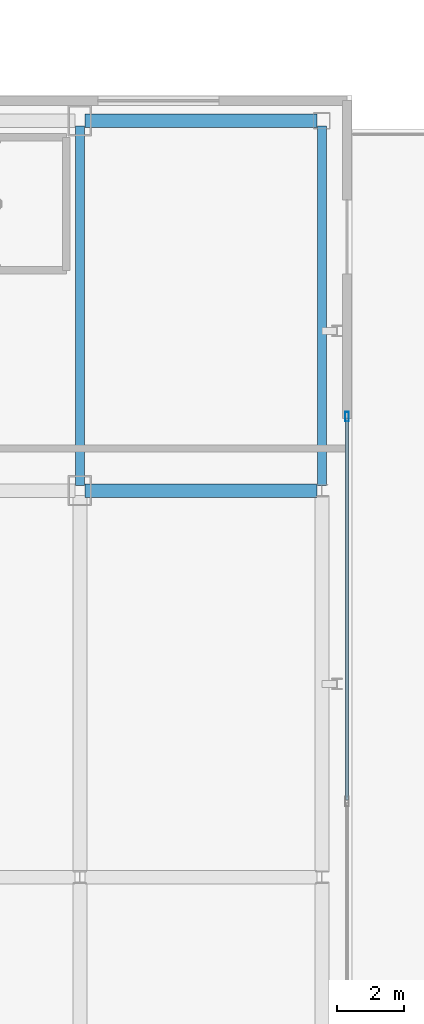
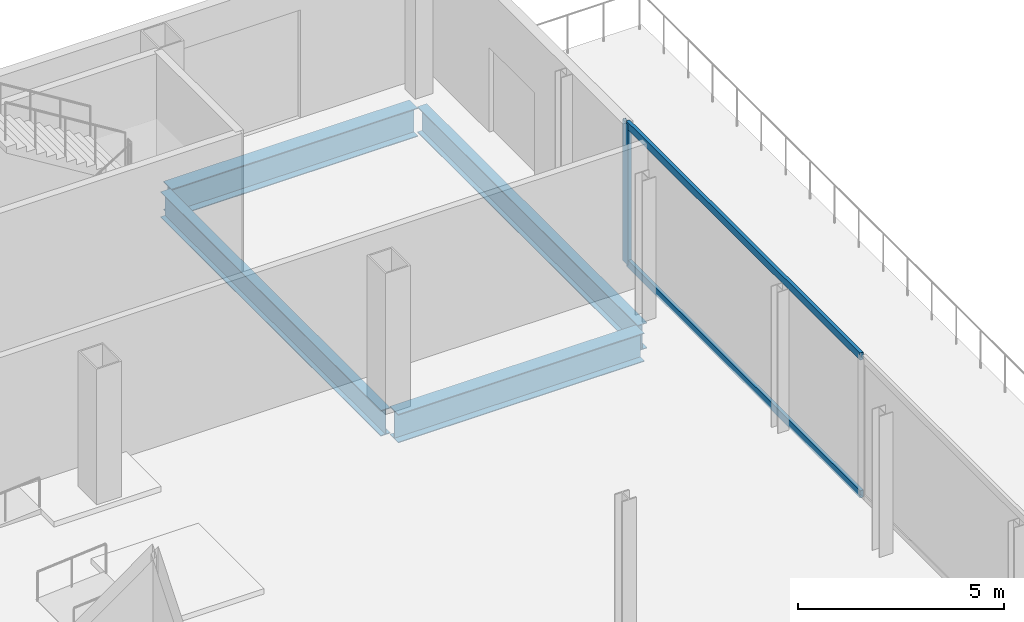
# One storey, part 18 of 31: 4 beams, 3 members, 1 element without a shape of its own.
"""IFC4 building model written with IfcOpenShell, lengths in metres."""

from ifc_helpers import new_model, si_unit, direction, frame, origin, origin_2d, place, context, subcontext, project, spatial, hollow_rectangle, i_section, extrude, source, transform, mapped, material, layer, layer_set, material_profile, profile_set, type_object, element, aggregate, save


model = new_model("IFC4")

# Units and contexts
model_context = context("Model", 3, precision=1e-05, world=origin(), true_north=direction((0.0, 1.0)))
body_context = subcontext(model_context, "Body", "Model", "MODEL_VIEW")
ifc_project = project(units=[si_unit("LENGTHUNIT", "METRE"), si_unit("AREAUNIT", "SQUARE_METRE"), si_unit("VOLUMEUNIT", "CUBIC_METRE"), si_unit("PLANEANGLEUNIT", "RADIAN"), si_unit("MASSUNIT", "GRAM", prefix="KILO")], contexts=[model_context])

# Site, building, storey
site_placement = place(None, origin())
site = spatial("IfcSite", under=ifc_project, at=site_placement, CompositionType="ELEMENT")
building_placement = place(site_placement, origin())
building = spatial("IfcBuilding", under=site, at=building_placement, Name="Kolveth Station Tower", CompositionType="ELEMENT")
storey_placement = place(building_placement, origin())
storey = spatial("IfcBuildingStorey", under=building, at=storey_placement, Name="L00", CompositionType="ELEMENT", Elevation=0.0)

# Beams
ifc_material_1 = material(Name="Steel S355", Category="steel")
ifc_material_profile_1 = material_profile(ifc_material_1, i_section(OverallWidth=0.40087890625, OverallDepth=0.85107421875, WebThickness=0.01611328125, FlangeThickness=0.025390625, at=origin_2d()), Name="W840x226")
ifc_profile_set_1 = profile_set([ifc_material_profile_1], Name="Steel S355")
beam_type_1 = type_object("IfcBeamType", Name="Beam_B2", PredefinedType="BEAM", material=ifc_profile_set_1)
shared_shape_1 = source(origin(), body_context, "Body", "SweptSolid", [
    extrude(i_section(OverallWidth=0.40087890625, OverallDepth=0.85107421875, WebThickness=0.01611328125, FlangeThickness=0.025390625, at=origin_2d()), origin(), (0.0, 0.0, 1.0), 6.900146484375),
])
for number, where, z_axis, x_axis, name in (
    (1, (63.64990234375, 28.75, -0.74560546875), (1.0, 0.0, 0.0), (0.0, 1.0, 0.0), "L00 Station Portal Girder SBM-L00-EW-5-3"),
    (2, (63.64990234375, 39.75, -0.74560546875), (1.0, 0.0, 0.0), (0.0, 1.0, 0.0), "L00 Station Portal Girder SBM-L00-EW-6-3"),
):
    element("IfcBeam", number, at=place(storey_placement, frame(where, z_axis=z_axis, x_axis=x_axis)), inside=storey, type_object=beam_type_1, Name=name, PredefinedType="BEAM", context=body_context, shape_type="MappedRepresentation", body=[
        mapped(shared_shape_1, transform((0.0, 0.0, 0.0), x_axis=(1.0, 0.0, 0.0), y_axis=(0.0, 1.0, 0.0), z_axis=(0.0, 0.0, 1.0), scale=1.0)),
    ])
ifc_material_profile_2 = material_profile(ifc_material_1, i_section(OverallWidth=0.26708984375, OverallDepth=0.76611328125, WebThickness=0.014892578125, FlangeThickness=0.023681640625, at=origin_2d()), Name="W760x185")
ifc_profile_set_2 = profile_set([ifc_material_profile_2], Name="Steel S355")
beam_type_2 = type_object("IfcBeamType", Name="Beam_B3", PredefinedType="BEAM", material=ifc_profile_set_2)
shared_shape_2 = source(origin(), body_context, "Body", "SweptSolid", [
    extrude(i_section(OverallWidth=0.26708984375, OverallDepth=0.76611328125, WebThickness=0.014892578125, FlangeThickness=0.023681640625, at=origin_2d()), origin(), (0.0, 0.0, 1.0), 10.7001953125),
])
for number, where, z_axis, x_axis, name in (
    (3, (63.5, 28.89990234375, -0.702880859375), (0.0, 1.0, 0.0), (-1.0, 0.0, 0.0), "L00 Station Spine Girder SBM-L00-NS-3-5"),
    (4, (70.699951171875, 28.89990234375, -0.702880859375), (0.0, 1.0, 0.0), (-1.0, 0.0, 0.0), "L00 Station Spine Girder SBM-L00-NS-4-5"),
):
    element("IfcBeam", number, at=place(storey_placement, frame(where, z_axis=z_axis, x_axis=x_axis)), inside=storey, type_object=beam_type_2, Name=name, PredefinedType="BEAM", context=body_context, shape_type="MappedRepresentation", body=[
        mapped(shared_shape_2, transform((0.0, 0.0, 0.0), x_axis=(1.0, 0.0, 0.0), y_axis=(0.0, 1.0, 0.0), z_axis=(0.0, 0.0, 1.0), scale=1.0)),
    ])

# Curtain wall, members
ifc_material_2 = material(Name="Black anodized aluminium 6063-T6 and clear station glass", Category="aluminium")
ifc_layer = layer(ifc_material_2, 0.239990234375)
ifc_layer_set = layer_set([ifc_layer], Name="Black anodized aluminium 6063-T6 and clear station glass")
curtain_wall_type = type_object("IfcCurtainWallType", Name="CurtainWall_CW-ST", PredefinedType="NOTDEFINED", material=ifc_layer_set)
curtain_wall_placement = place(storey_placement, origin())
curtain_wall = element("IfcCurtainWall", 5, at=curtain_wall_placement, inside=storey, type_object=curtain_wall_type, Name="L00 Station East Main Hall Curtain Wall", PredefinedType="NOTDEFINED")
ifc_material_3 = material(Name="Black anodized aluminium 6063-T6", Category="aluminium")
ifc_material_profile_3 = material_profile(ifc_material_3, hollow_rectangle(XDim=0.10009765625, YDim=0.280029296875, WallThickness=0.0048828125, at=origin_2d()), Name="ALU-100x280x5")
ifc_profile_set_3 = profile_set([ifc_material_profile_3], Name="Black anodized aluminium 6063-T6")
member_type_1 = type_object("IfcMemberType", Name="Mullion_ML-ST", PredefinedType="MULLION", material=ifc_profile_set_3)
shared_shape_3 = source(origin(), body_context, "Body", "SweptSolid", [
    extrude(hollow_rectangle(XDim=0.10009765625, YDim=0.280029296875, WallThickness=0.0048828125, at=origin_2d()), origin(), (0.0, 0.0, 1.0), 4.179931640625),
])
member_1_placement = place(storey_placement, frame((71.449951171875, 30.949951171875, 0.0), z_axis=(0.0, 0.0, 1.0), x_axis=(-1.0, 0.0, 0.0)))
member_1 = element("IfcMember", 6, at=member_1_placement, type_object=member_type_1, Name="CW-ST mullion 3", PredefinedType="MULLION", context=body_context, shape_type="MappedRepresentation", body=[
    mapped(shared_shape_3, transform((0.0, 0.0, 0.0), x_axis=(1.0, 0.0, 0.0), y_axis=(0.0, 1.0, 0.0), z_axis=(0.0, 0.0, 1.0), scale=1.0)),
])
ifc_material_profile_4 = material_profile(ifc_material_3, hollow_rectangle(XDim=0.094970703125, YDim=0.219970703125, WallThickness=0.0048828125, at=origin_2d()), Name="ALU-95x220x5")
ifc_profile_set_4 = profile_set([ifc_material_profile_4], Name="Black anodized aluminium 6063-T6")
member_type_2 = type_object("IfcMemberType", Name="Transom_TR-ST", PredefinedType="USERDEFINED", material=ifc_profile_set_4)
shared_shape_4 = source(origin(), body_context, "Body", "SweptSolid", [
    extrude(hollow_rectangle(XDim=0.094970703125, YDim=0.219970703125, WallThickness=0.0048828125, at=origin_2d()), origin(), (0.0, 0.0, 1.0), 11.349853515625),
])
member_2_placement = place(storey_placement, frame((71.449951171875, 19.550048828125, 0.047607421875), z_axis=(0.0, 1.0, 0.0), x_axis=(-1.0, 0.0, 0.0)))
member_2 = element("IfcMember", 7, at=member_2_placement, type_object=member_type_2, Name="CW-ST transom 2.1", ObjectType="TRANSOM", PredefinedType="USERDEFINED", context=body_context, shape_type="MappedRepresentation", body=[
    mapped(shared_shape_4, transform((0.0, 0.0, 0.0), x_axis=(1.0, 0.0, 0.0), y_axis=(0.0, 1.0, 0.0), z_axis=(0.0, 0.0, 1.0), scale=1.0)),
])
member_3_placement = place(storey_placement, frame((71.449951171875, 19.550048828125, 4.132568359375), z_axis=(0.0, 1.0, 0.0), x_axis=(-1.0, 0.0, 0.0)))
member_3 = element("IfcMember", 8, at=member_3_placement, type_object=member_type_2, Name="CW-ST transom 2.2", ObjectType="TRANSOM", PredefinedType="USERDEFINED", context=body_context, shape_type="MappedRepresentation", body=[
    mapped(shared_shape_4, transform((0.0, 0.0, 0.0), x_axis=(1.0, 0.0, 0.0), y_axis=(0.0, 1.0, 0.0), z_axis=(0.0, 0.0, 1.0), scale=1.0)),
])
aggregate(curtain_wall, [member_1, member_2, member_3])

save(model, "model.ifc")
